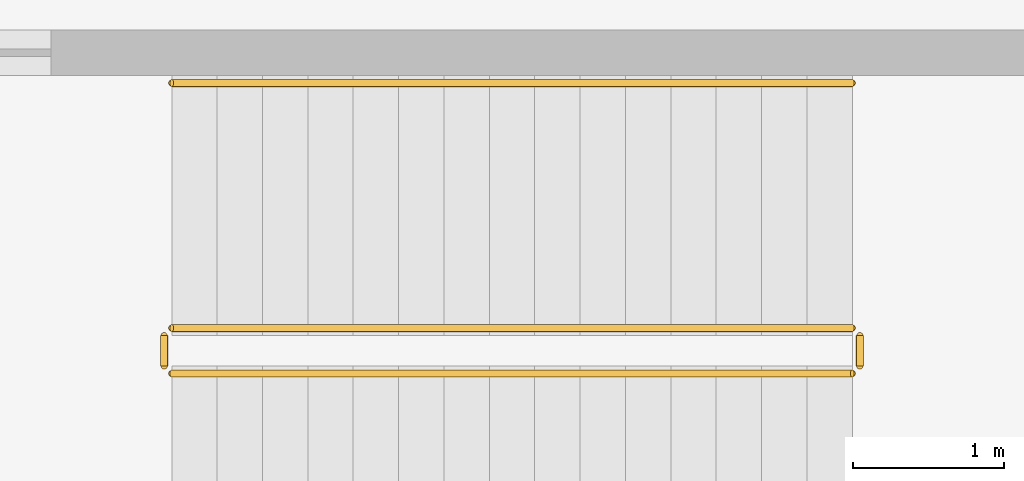
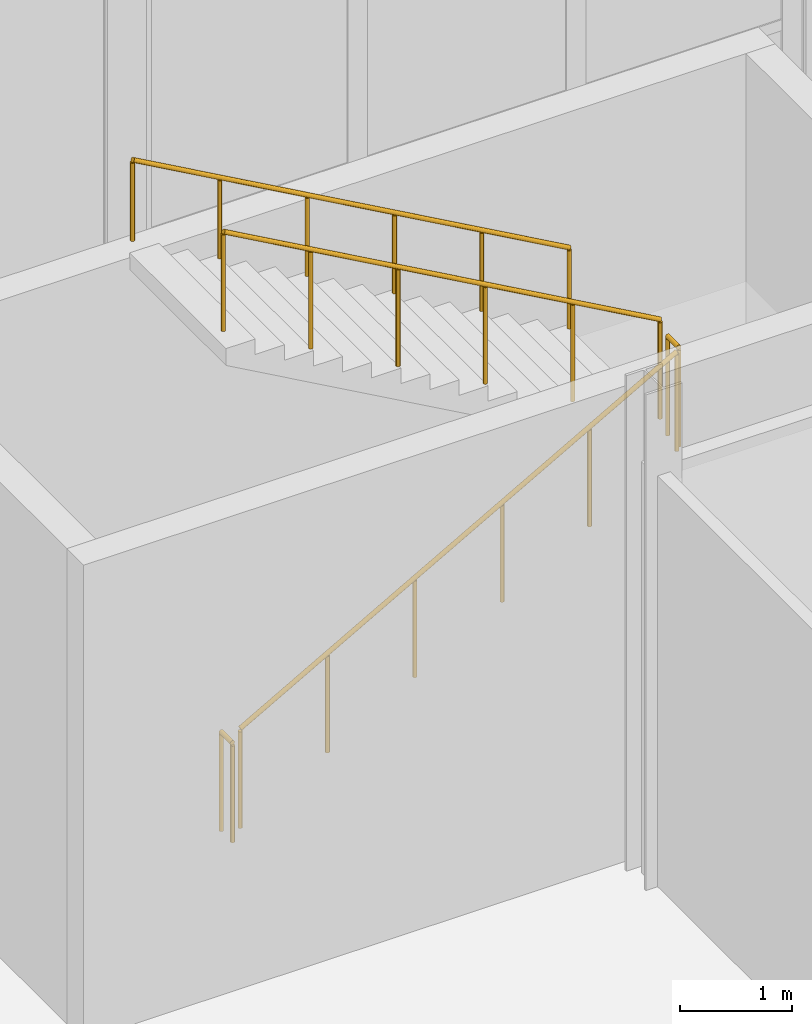
# One storey, part 88 of 104: 5 railings.
"""IFC4 building model written with IfcOpenShell, lengths in metres."""

from ifc_helpers import new_model, si_unit, direction, frame, origin, origin_2d, place, context, subcontext, project, spatial, circle, extrude, material, layer, layer_set, type_object, element, save


model = new_model("IFC4")

# Units and contexts
model_context = context("Model", 3, precision=1e-05, world=origin(), true_north=direction((0.0, 1.0)))
body_context = subcontext(model_context, "Body", "Model", "MODEL_VIEW")
ifc_project = project(units=[si_unit("LENGTHUNIT", "METRE"), si_unit("AREAUNIT", "SQUARE_METRE"), si_unit("VOLUMEUNIT", "CUBIC_METRE"), si_unit("PLANEANGLEUNIT", "RADIAN"), si_unit("MASSUNIT", "GRAM", prefix="KILO")], contexts=[model_context])

# Site, building, storey
site_placement = place(None, origin())
site = spatial("IfcSite", under=ifc_project, at=site_placement, CompositionType="ELEMENT")
building_placement = place(site_placement, origin())
building = spatial("IfcBuilding", under=site, at=building_placement, Name="Vaelcorin Mobility Hub", CompositionType="ELEMENT")
storey_placement = place(building_placement, origin())
storey = spatial("IfcBuildingStorey", under=building, at=storey_placement, Name="L00", CompositionType="ELEMENT", Elevation=0.0)

# Railings
ifc_material = material(Name="Brushed stainless steel 316L", Category="steel")
ifc_layer_1 = layer(ifc_material, 0.048095703125)
ifc_layer_set_1 = layer_set([ifc_layer_1], Name="Brushed stainless steel 316L")
railing_type_1 = type_object("IfcRailingType", Name="RL-STAIR-GRD", PredefinedType="GUARDRAIL", material=ifc_layer_set_1)
railing_1_placement = place(storey_placement, frame((97.85009765625, 52.669921875, 0.168701171875)))
element("IfcRailing", 1, at=railing_1_placement, inside=storey, type_object=railing_type_1, Name="L00 ST8 stair guard 1", PredefinedType="GUARDRAIL", context=body_context, shape_type="SweptSolid", body=[
    extrude(circle(Radius=0.02392578125, at=origin_2d()), frame((0.0, 0.0, 1.076171875), z_axis=(0.871575537125, 0.0, 0.490261239633), x_axis=(0.0, 1.0, 0.0)), (0.0, 0.0, 1.0), 5.1630859375),
    extrude(circle(Radius=0.02099609375, at=origin_2d()), origin(), (0.0, 0.0, 1.0), 1.052001953125),
    extrude(circle(Radius=0.02099609375, at=origin_2d()), frame((0.89990234375, 0.0, 0.50634765625)), (0.0, 0.0, 1.0), 1.052001953125),
    extrude(circle(Radius=0.02099609375, at=origin_2d()), frame((1.800048828125, 0.0, 1.012451171875)), (0.0, 0.0, 1.0), 1.052001953125),
    extrude(circle(Radius=0.02099609375, at=origin_2d()), frame((2.699951171875, 0.0, 1.518798828125)), (0.0, 0.0, 1.0), 1.052001953125),
    extrude(circle(Radius=0.02099609375, at=origin_2d()), frame((3.60009765625, 0.0, 2.02490234375)), (0.0, 0.0, 1.0), 1.052001953125),
    extrude(circle(Radius=0.02099609375, at=origin_2d()), frame((4.5, 0.0, 2.53125)), (0.0, 0.0, 1.0), 1.052001953125),
])
railing_2_placement = place(storey_placement, frame((102.39990234375, 52.719970703125, 2.699951171875)))
element("IfcRailing", 2, at=railing_2_placement, inside=storey, type_object=railing_type_1, Name="L00 ST8 stair guard 2", PredefinedType="GUARDRAIL", context=body_context, shape_type="SweptSolid", body=[
    extrude(circle(Radius=0.02392578125, at=origin_2d()), frame((0.0, 0.0, 1.076171875), z_axis=(0.0, 1.0, 0.0), x_axis=(-1.0, 0.0, 0.0)), (0.0, 0.0, 1.0), 0.199951171875),
    extrude(circle(Radius=0.02099609375, at=origin_2d()), origin(), (0.0, 0.0, 1.0), 1.052001953125),
    extrude(circle(Radius=0.02099609375, at=origin_2d()), frame((0.0, 0.199951171875, 0.0)), (0.0, 0.0, 1.0), 1.052001953125),
])
railing_3_placement = place(storey_placement, frame((102.35009765625, 52.969970703125, 2.86865234375)))
element("IfcRailing", 3, at=railing_3_placement, inside=storey, type_object=railing_type_1, Name="L00 ST8 stair guard 3", PredefinedType="GUARDRAIL", context=body_context, shape_type="SweptSolid", body=[
    extrude(circle(Radius=0.02392578125, at=origin_2d()), frame((0.0, 0.0, 1.076171875), z_axis=(-0.871575537125, 0.0, 0.490261239633), x_axis=(0.0, -1.0, 0.0)), (0.0, 0.0, 1.0), 5.1630859375),
    extrude(circle(Radius=0.02099609375, at=origin_2d()), origin(), (0.0, 0.0, 1.0), 1.052001953125),
    extrude(circle(Radius=0.02099609375, at=origin_2d()), frame((-0.89990234375, 0.0, 0.50634765625)), (0.0, 0.0, 1.0), 1.052001953125),
    extrude(circle(Radius=0.02099609375, at=origin_2d()), frame((-1.800048828125, 0.0, 1.012451171875)), (0.0, 0.0, 1.0), 1.052001953125),
    extrude(circle(Radius=0.02099609375, at=origin_2d()), frame((-2.699951171875, 0.0, 1.518798828125)), (0.0, 0.0, 1.0), 1.052001953125),
    extrude(circle(Radius=0.02099609375, at=origin_2d()), frame((-3.60009765625, 0.0, 2.02490234375)), (0.0, 0.0, 1.0), 1.052001953125),
    extrude(circle(Radius=0.02099609375, at=origin_2d()), frame((-4.5, 0.0, 2.53125)), (0.0, 0.0, 1.0), 1.052001953125),
])
railing_4_placement = place(storey_placement, frame((97.800048828125, 52.719970703125, 0.0)))
element("IfcRailing", 4, at=railing_4_placement, inside=storey, type_object=railing_type_1, Name="L00 ST8 stair guard 4", PredefinedType="GUARDRAIL", context=body_context, shape_type="SweptSolid", body=[
    extrude(circle(Radius=0.02392578125, at=origin_2d()), frame((0.0, 0.0, 1.076171875), z_axis=(0.0, 1.0, 0.0), x_axis=(-1.0, 0.0, 0.0)), (0.0, 0.0, 1.0), 0.199951171875),
    extrude(circle(Radius=0.02099609375, at=origin_2d()), origin(), (0.0, 0.0, 1.0), 1.052001953125),
    extrude(circle(Radius=0.02099609375, at=origin_2d()), frame((0.0, 0.199951171875, 0.0)), (0.0, 0.0, 1.0), 1.052001953125),
])
ifc_layer_2 = layer(ifc_material, 0.048095703125)
ifc_layer_set_2 = layer_set([ifc_layer_2], Name="Brushed stainless steel 316L")
railing_type_2 = type_object("IfcRailingType", Name="RL-STAIR-HR", PredefinedType="HANDRAIL", material=ifc_layer_set_2)
railing_5_placement = place(storey_placement, frame((102.35009765625, 54.590087890625, 2.86865234375)))
element("IfcRailing", 5, at=railing_5_placement, inside=storey, type_object=railing_type_2, Name="L00 ST8 stair handrail 2", PredefinedType="HANDRAIL", context=body_context, shape_type="SweptSolid", body=[
    extrude(circle(Radius=0.02392578125, at=origin_2d()), frame((0.0, 0.0, 0.8759765625), z_axis=(-0.871575537125, 0.0, 0.490261239633), x_axis=(0.0, -1.0, 0.0)), (0.0, 0.0, 1.0), 5.1630859375),
    extrude(circle(Radius=0.02099609375, at=origin_2d()), origin(), (0.0, 0.0, 1.0), 0.851806640625),
    extrude(circle(Radius=0.02099609375, at=origin_2d()), frame((-0.89990234375, 0.0, 0.50634765625)), (0.0, 0.0, 1.0), 0.851806640625),
    extrude(circle(Radius=0.02099609375, at=origin_2d()), frame((-1.800048828125, 0.0, 1.012451171875)), (0.0, 0.0, 1.0), 0.851806640625),
    extrude(circle(Radius=0.02099609375, at=origin_2d()), frame((-2.699951171875, 0.0, 1.518798828125)), (0.0, 0.0, 1.0), 0.851806640625),
    extrude(circle(Radius=0.02099609375, at=origin_2d()), frame((-3.60009765625, 0.0, 2.02490234375)), (0.0, 0.0, 1.0), 0.851806640625),
    extrude(circle(Radius=0.02099609375, at=origin_2d()), frame((-4.5, 0.0, 2.53125)), (0.0, 0.0, 1.0), 0.851806640625),
])

save(model, "model.ifc")
